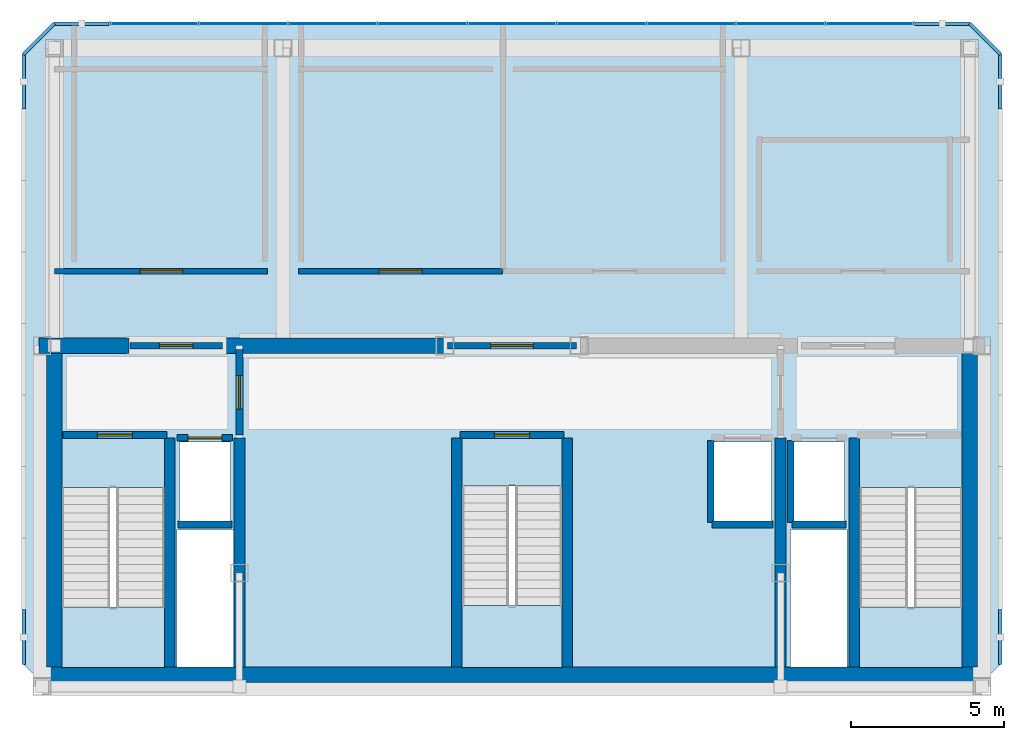
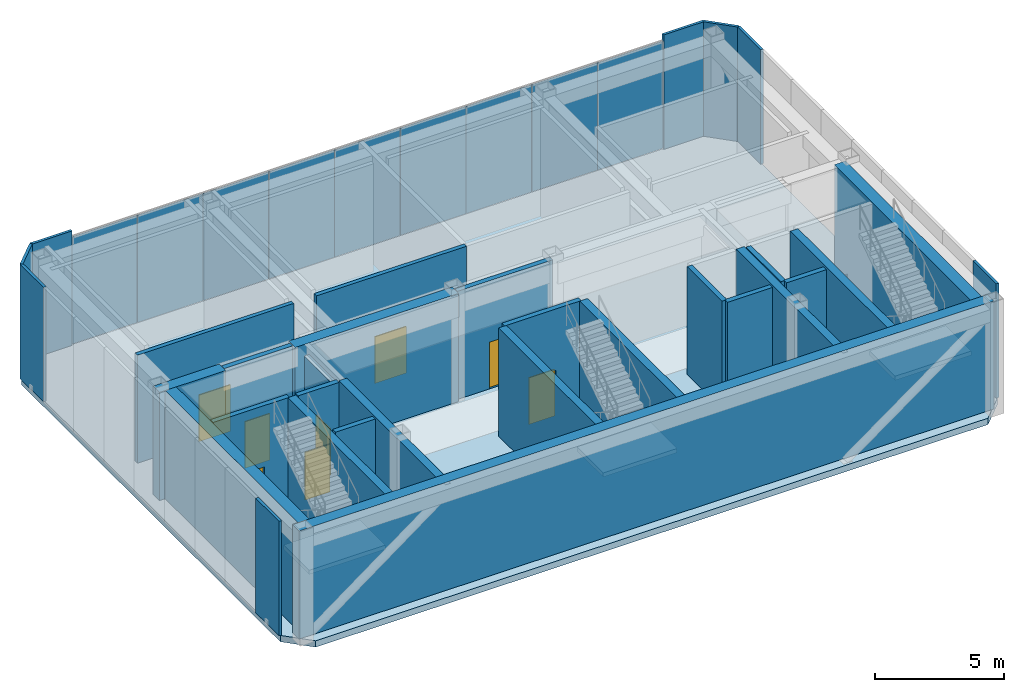
# One storey, part 7 of 9: 24 walls, 17 plates, 8 doors, 4 slabs, 8 openings, 4 elements without a shape of their own.
"""IFC4 building model written with IfcOpenShell, lengths in metres."""

from ifc_helpers import new_model, si_unit, direction, frame, frame_2d, origin, origin_2d, place, context, subcontext, project, spatial, polyline, rectangle, outline, extrude, material, layer, layer_set, type_object, element, fill, aggregate, save


model = new_model("IFC4")

# Units and contexts
model_context = context("Model", 3, precision=1e-05, world=origin(), true_north=direction((0.0, 1.0)))
body_context = subcontext(model_context, "Body", "Model", "MODEL_VIEW")
ifc_project = project(units=[si_unit("LENGTHUNIT", "METRE"), si_unit("AREAUNIT", "SQUARE_METRE"), si_unit("VOLUMEUNIT", "CUBIC_METRE"), si_unit("PLANEANGLEUNIT", "RADIAN"), si_unit("MASSUNIT", "GRAM", prefix="KILO")], contexts=[model_context])

# Site, building, storey
site_placement = place(None, origin())
site = spatial("IfcSite", under=ifc_project, at=site_placement, CompositionType="ELEMENT")
building_placement = place(site_placement, origin())
building = spatial("IfcBuilding", under=site, at=building_placement, Name="Ventersveld Concourse Tower", CompositionType="ELEMENT")
storey_placement = place(building_placement, frame((0.0, 0.0, 377.449951171875)))
storey = spatial("IfcBuildingStorey", under=building, at=storey_placement, Name="L92", CompositionType="ELEMENT", Elevation=377.449951171875)

# Curtain wall, plates
ifc_material_1 = material(Name="Anodised aluminium EN AW-6063-T6", Category="aluminium")
curtain_wall_type = type_object("IfcCurtainWallType", Name="CW-CRN-6", PredefinedType="NOTDEFINED", material=ifc_material_1)
curtain_wall_placement = place(storey_placement, origin())
curtain_wall = element("IfcCurtainWall", 1, at=curtain_wall_placement, inside=storey, type_object=curtain_wall_type, Name="L92 L92 Crown North Glazed Curtain Wall", PredefinedType="NOTDEFINED")
ifc_material_2 = material(Name="Low-E double glazing IGU", Category="glass")
ifc_layer_1 = layer(ifc_material_2, 0.02392578125)
ifc_layer_set_1 = layer_set([ifc_layer_1], Name="Low-E double glazing IGU")
plate_type_1 = type_object("IfcPlateType", Name="CWP-GLZ-24", PredefinedType="CURTAIN_PANEL", material=ifc_layer_set_1)
plate_1_placement = place(storey_placement, frame((40.4833984375, 22.0, 0.02001953125), z_axis=(0.0, 0.0, 1.0), x_axis=(-1.0, 0.0, 0.0)))
plate_1 = element("IfcPlate", 2, at=plate_1_placement, type_object=plate_type_1, Name="CW-L92-N Glazed Panel 01-1", PredefinedType="CURTAIN_PANEL", context=body_context, shape_type="SweptSolid", body=[
    extrude(rectangle(XDim=2.92333984375, YDim=0.02392578125, at=origin_2d()), origin(), (0.0, 0.0, 1.0), 5.06005859375),
])
plate_2_placement = place(storey_placement, frame((37.550048828125, 22.0, 0.02001953125), z_axis=(0.0, 0.0, 1.0), x_axis=(-1.0, 0.0, 0.0)))
plate_2 = element("IfcPlate", 3, at=plate_2_placement, type_object=plate_type_1, Name="CW-L92-N Glazed Panel 02-1", PredefinedType="CURTAIN_PANEL", context=body_context, shape_type="SweptSolid", body=[
    extrude(rectangle(XDim=2.92333984375, YDim=0.02392578125, at=origin_2d()), origin(), (0.0, 0.0, 1.0), 5.06005859375),
])
plate_3_placement = place(storey_placement, frame((34.61669921875, 22.0, 0.02001953125), z_axis=(0.0, 0.0, 1.0), x_axis=(-1.0, 0.0, 0.0)))
plate_3 = element("IfcPlate", 4, at=plate_3_placement, type_object=plate_type_1, Name="CW-L92-N Glazed Panel 03-1", PredefinedType="CURTAIN_PANEL", context=body_context, shape_type="SweptSolid", body=[
    extrude(rectangle(XDim=2.92333984375, YDim=0.02392578125, at=origin_2d()), origin(), (0.0, 0.0, 1.0), 5.06005859375),
])
plate_4_placement = place(storey_placement, frame((31.683349609375, 22.0, 0.02001953125), z_axis=(0.0, 0.0, 1.0), x_axis=(-1.0, 0.0, 0.0)))
plate_4 = element("IfcPlate", 5, at=plate_4_placement, type_object=plate_type_1, Name="CW-L92-N Glazed Panel 04-1", PredefinedType="CURTAIN_PANEL", context=body_context, shape_type="SweptSolid", body=[
    extrude(rectangle(XDim=2.92333984375, YDim=0.02392578125, at=origin_2d()), origin(), (0.0, 0.0, 1.0), 5.06005859375),
])
plate_5_placement = place(storey_placement, frame((28.75, 22.0, 0.02001953125), z_axis=(0.0, 0.0, 1.0), x_axis=(-1.0, 0.0, 0.0)))
plate_5 = element("IfcPlate", 6, at=plate_5_placement, type_object=plate_type_1, Name="CW-L92-N Glazed Panel 05-1", PredefinedType="CURTAIN_PANEL", context=body_context, shape_type="SweptSolid", body=[
    extrude(rectangle(XDim=2.92333984375, YDim=0.02392578125, at=origin_2d()), origin(), (0.0, 0.0, 1.0), 5.06005859375),
])
plate_6_placement = place(storey_placement, frame((25.816650390625, 22.0, 0.02001953125), z_axis=(0.0, 0.0, 1.0), x_axis=(-1.0, 0.0, 0.0)))
plate_6 = element("IfcPlate", 7, at=plate_6_placement, type_object=plate_type_1, Name="CW-L92-N Glazed Panel 06-1", PredefinedType="CURTAIN_PANEL", context=body_context, shape_type="SweptSolid", body=[
    extrude(rectangle(XDim=2.92333984375, YDim=0.02392578125, at=origin_2d()), origin(), (0.0, 0.0, 1.0), 5.06005859375),
])
plate_7_placement = place(storey_placement, frame((22.88330078125, 22.0, 0.02001953125), z_axis=(0.0, 0.0, 1.0), x_axis=(-1.0, 0.0, 0.0)))
plate_7 = element("IfcPlate", 8, at=plate_7_placement, type_object=plate_type_1, Name="CW-L92-N Glazed Panel 07-1", PredefinedType="CURTAIN_PANEL", context=body_context, shape_type="SweptSolid", body=[
    extrude(rectangle(XDim=2.92333984375, YDim=0.02392578125, at=origin_2d()), origin(), (0.0, 0.0, 1.0), 5.06005859375),
])
plate_8_placement = place(storey_placement, frame((19.949951171875, 22.0, 0.02001953125), z_axis=(0.0, 0.0, 1.0), x_axis=(-1.0, 0.0, 0.0)))
plate_8 = element("IfcPlate", 9, at=plate_8_placement, type_object=plate_type_1, Name="CW-L92-N Glazed Panel 08-1", PredefinedType="CURTAIN_PANEL", context=body_context, shape_type="SweptSolid", body=[
    extrude(rectangle(XDim=2.92333984375, YDim=0.02392578125, at=origin_2d()), origin(), (0.0, 0.0, 1.0), 5.06005859375),
])
plate_9_placement = place(storey_placement, frame((17.0166015625, 22.0, 0.02001953125), z_axis=(0.0, 0.0, 1.0), x_axis=(-1.0, 0.0, 0.0)))
plate_9 = element("IfcPlate", 10, at=plate_9_placement, type_object=plate_type_1, Name="CW-L92-N Glazed Panel 09-1", PredefinedType="CURTAIN_PANEL", context=body_context, shape_type="SweptSolid", body=[
    extrude(rectangle(XDim=2.92333984375, YDim=0.02392578125, at=origin_2d()), origin(), (0.0, 0.0, 1.0), 5.06005859375),
])
aggregate(curtain_wall, [plate_1, plate_2, plate_3, plate_4, plate_5, plate_6, plate_7, plate_8, plate_9])

# Plates
ifc_material_3 = material(Name="Precast concrete C45/55", Category="concrete")
ifc_layer_2 = layer(ifc_material_3, 0.1201171875)
ifc_layer_set_2 = layer_set([ifc_layer_2], Name="Precast concrete C45/55")
plate_type_2 = type_object("IfcPlateType", Name="PL-CLAD-120", PredefinedType="SHEET", material=ifc_layer_set_2)
for number, where, z_axis, x_axis, name in (
    (11, (44.75, 1.89990234375, 0.0), (0.0, 0.0, 1.0), (0.0, 1.0, 0.0), "L92 Crown Precast Pier Cladding E3-P1"),
    (12, (44.75, 20.10009765625, 0.0), (0.0, 0.0, 1.0), (0.0, 1.0, 0.0), "L92 Crown Precast Pier Cladding E3-P2"),
):
    element("IfcPlate", number, at=place(storey_placement, frame(where, z_axis=z_axis, x_axis=x_axis)), inside=storey, type_object=plate_type_2, Name=name, PredefinedType="SHEET", context=body_context, shape_type="SweptSolid", body=[
        extrude(rectangle(XDim=1.800048828125, YDim=0.1201171875, at=origin_2d()), origin(), (0.0, 0.0, 1.0), 5.39990234375),
    ])
plate_10_placement = place(storey_placement, frame((44.25, 21.5, 0.0), z_axis=(0.0, 0.0, 1.0), x_axis=(-0.707106781187, 0.707106781187, 0.0)))
element("IfcPlate", 13, at=plate_10_placement, inside=storey, type_object=plate_type_2, Name="L92 Crown Chamfer Precast Cladding Sheet E4", PredefinedType="SHEET", context=body_context, shape_type="SweptSolid", body=[
    extrude(rectangle(XDim=1.414306640625, YDim=0.1201171875, at=origin_2d()), origin(), (0.0, 0.0, 1.0), 5.39990234375),
])
for number, where, z_axis, x_axis, name in (
    (14, (42.85009765625, 22.0, 0.0), (0.0, 0.0, 1.0), (-1.0, 0.0, 0.0), "L92 Crown Precast Pier Cladding E5-P1"),
    (15, (14.64990234375, 22.0, 0.0), (0.0, 0.0, 1.0), (-1.0, 0.0, 0.0), "L92 Crown Precast Pier Cladding E5-P2"),
):
    element("IfcPlate", number, at=place(storey_placement, frame(where, z_axis=z_axis, x_axis=x_axis)), inside=storey, type_object=plate_type_2, Name=name, PredefinedType="SHEET", context=body_context, shape_type="SweptSolid", body=[
        extrude(rectangle(XDim=1.800048828125, YDim=0.1201171875, at=origin_2d()), origin(), (0.0, 0.0, 1.0), 5.39990234375),
    ])
plate_11_placement = place(storey_placement, frame((13.25, 21.5, 0.0), z_axis=(0.0, 0.0, 1.0), x_axis=(-0.707106781187, -0.707106781187, 0.0)))
element("IfcPlate", 16, at=plate_11_placement, inside=storey, type_object=plate_type_2, Name="L92 Crown Chamfer Precast Cladding Sheet E6", PredefinedType="SHEET", context=body_context, shape_type="SweptSolid", body=[
    extrude(rectangle(XDim=1.414306640625, YDim=0.1201171875, at=origin_2d()), origin(), (0.0, 0.0, 1.0), 5.39990234375),
])
for number, where, z_axis, x_axis, name in (
    (17, (12.75, 20.10009765625, 0.0), (0.0, 0.0, 1.0), (0.0, -1.0, 0.0), "L92 Crown Precast Pier Cladding E7-P1"),
    (18, (12.75, 1.89990234375, 0.0), (0.0, 0.0, 1.0), (0.0, -1.0, 0.0), "L92 Crown Precast Pier Cladding E7-P2"),
):
    element("IfcPlate", number, at=place(storey_placement, frame(where, z_axis=z_axis, x_axis=x_axis)), inside=storey, type_object=plate_type_2, Name=name, PredefinedType="SHEET", context=body_context, shape_type="SweptSolid", body=[
        extrude(rectangle(XDim=1.800048828125, YDim=0.1201171875, at=origin_2d()), origin(), (0.0, 0.0, 1.0), 5.39990234375),
    ])

# Slab
ifc_material_4 = material(Name="Concrete C50/60", Category="concrete")
ifc_layer_3 = layer(ifc_material_4, 0.300048828125)
ifc_layer_set_3 = layer_set([ifc_layer_3], Name="Concrete C50/60")
slab_type_1 = type_object("IfcSlabType", Name="SL-FLR-300", PredefinedType="FLOOR", material=ifc_layer_set_3)
slab_1_placement = place(storey_placement, frame((0.0, 0.0, -0.300048828125)))
element("IfcSlab", 19, at=slab_1_placement, inside=storey, type_object=slab_type_1, Name="L92 Composite Floor Slab", PredefinedType="FLOOR", context=body_context, shape_type="SweptSolid", body=[
    extrude(outline(polyline([(13.75, 0.0), (43.75, 0.0), (44.75, 1.0), (44.75, 21.0), (43.75, 22.0), (13.75, 22.0), (12.75, 21.0), (12.75, 1.0), (13.75, 0.0)]), holes=[polyline([(13.97998046875, 6.794921875), (13.97998046875, 0.89990234375), (17.3798828125, 0.89990234375), (17.3798828125, 6.794921875), (13.97998046875, 6.794921875)]), polyline([(40.1201171875, 6.794921875), (40.1201171875, 0.89990234375), (43.52001953125, 0.89990234375), (43.52001953125, 6.794921875), (40.1201171875, 6.794921875)]), polyline([(27.10009765625, 6.844970703125), (27.10009765625, 0.89990234375), (30.39990234375, 0.89990234375), (30.39990234375, 6.844970703125), (27.10009765625, 6.844970703125)]), polyline([(17.85009765625, 5.699951171875), (19.530029296875, 5.699951171875), (19.530029296875, 8.300048828125), (17.85009765625, 8.300048828125), (17.85009765625, 5.699951171875)]), polyline([(37.969970703125, 5.699951171875), (39.64990234375, 5.699951171875), (39.64990234375, 8.300048828125), (37.969970703125, 8.300048828125), (37.969970703125, 5.699951171875)]), polyline([(35.35009765625, 5.699951171875), (37.25, 5.699951171875), (37.25, 8.300048828125), (35.35009765625, 8.300048828125), (35.35009765625, 5.699951171875)]), polyline([(17.780029296875, 0.919921875), (19.6201171875, 0.919921875), (19.6201171875, 5.419921875), (17.780029296875, 5.419921875), (17.780029296875, 0.919921875)]), polyline([(37.8798828125, 0.919921875), (39.719970703125, 0.919921875), (39.719970703125, 5.419921875), (37.8798828125, 5.419921875), (37.8798828125, 0.919921875)])]), origin(), (0.0, 0.0, 1.0), 0.300048828125),
])

# Stair, slab
stair_type_1 = type_object("IfcStairType", Name="ST-DOG-160", PredefinedType="HALF_TURN_STAIR", material=ifc_material_4)
stair_1_placement = place(storey_placement, origin())
stair_1 = element("IfcStair", 20, at=stair_1_placement, inside=storey, type_object=stair_type_1, Name="L92 Protected Tower Escape Stair ST-01", PredefinedType="HALF_TURN_STAIR")
ifc_layer_4 = layer(ifc_material_4, 0.199951171875)
ifc_layer_set_4 = layer_set([ifc_layer_4], Name="Concrete C50/60")
slab_type_2 = type_object("IfcSlabType", Name="SL-LND-200", PredefinedType="LANDING", material=ifc_layer_set_4)
slab_2_placement = place(storey_placement, frame((0.0, 0.0, 2.5)))
slab_2 = element("IfcSlab", 21, at=slab_2_placement, type_object=slab_type_2, Name="ST-01 landing 1", PredefinedType="LANDING", context=body_context, shape_type="SweptSolid", body=[
    extrude(outline(polyline([(13.97998046875, 2.8798828125), (13.97998046875, 0.89990234375), (17.3798828125, 0.89990234375), (17.3798828125, 2.8798828125), (13.97998046875, 2.8798828125)])), origin(), (0.0, 0.0, 1.0), 0.199951171875),
])
aggregate(stair_1, [slab_2])

stair_2_placement = place(storey_placement, origin())
stair_2 = element("IfcStair", 22, at=stair_2_placement, inside=storey, type_object=stair_type_1, Name="L92 Protected Tower Escape Stair ST-02", PredefinedType="HALF_TURN_STAIR")
slab_3_placement = place(storey_placement, frame((0.0, 0.0, 2.5)))
slab_3 = element("IfcSlab", 23, at=slab_3_placement, type_object=slab_type_2, Name="ST-02 landing 1", PredefinedType="LANDING", context=body_context, shape_type="SweptSolid", body=[
    extrude(outline(polyline([(40.1201171875, 2.8798828125), (40.1201171875, 0.89990234375), (43.52001953125, 0.89990234375), (43.52001953125, 2.8798828125), (40.1201171875, 2.8798828125)])), origin(), (0.0, 0.0, 1.0), 0.199951171875),
])
aggregate(stair_2, [slab_3])

stair_type_2 = type_object("IfcStairType", Name="ST-DOG-155", PredefinedType="HALF_TURN_STAIR", material=ifc_material_4)
stair_3_placement = place(storey_placement, origin())
stair_3 = element("IfcStair", 24, at=stair_3_placement, inside=storey, type_object=stair_type_2, Name="L92 Protected Central Core Escape Stair ST-03", PredefinedType="HALF_TURN_STAIR")
slab_4_placement = place(storey_placement, frame((0.0, 0.0, 2.5)))
slab_4 = element("IfcSlab", 25, at=slab_4_placement, type_object=slab_type_2, Name="ST-03 landing 1", PredefinedType="LANDING", context=body_context, shape_type="SweptSolid", body=[
    extrude(outline(polyline([(27.10009765625, 2.929931640625), (27.10009765625, 0.89990234375), (30.39990234375, 0.89990234375), (30.39990234375, 2.929931640625), (27.10009765625, 2.929931640625)])), origin(), (0.0, 0.0, 1.0), 0.199951171875),
])
aggregate(stair_3, [slab_4])

# Walls
ifc_layer_5 = layer(ifc_material_4, 0.35009765625)
ifc_layer_set_5 = layer_set([ifc_layer_5], Name="Concrete C50/60")
wall_type_1 = type_object("IfcWallType", Name="WL-CORE-350U", PredefinedType="SHEAR", material=ifc_layer_set_5)
for number, where, z_axis, x_axis, name in (
    (26, (17.5400390625, 0.919921875, 0.0), (0.0, 0.0, 1.0), (0.0, 1.0, 0.0), "L92 Core Internal Shear Web W-ST1-E"),
    (27, (19.820068359375, 0.919921875, 0.0), (0.0, 0.0, 1.0), (0.0, 1.0, 0.0), "L92 Core Internal Shear Web W-FF1-E"),
    (28, (26.93994140625, 0.919921875, 0.0), (0.0, 0.0, 1.0), (0.0, 1.0, 0.0), "L92 Core Internal Shear Web W-ST3-W"),
    (29, (30.56005859375, 0.919921875, 0.0), (0.0, 0.0, 1.0), (0.0, 1.0, 0.0), "L92 Core Internal Shear Web W-ST3-E"),
    (30, (37.550048828125, 0.919921875, 0.0), (0.0, 0.0, 1.0), (0.0, 1.0, 0.0), "L92 Core Internal Shear Web W-SVL-W"),
    (31, (39.9599609375, 0.919921875, 0.0), (0.0, 0.0, 1.0), (0.0, 1.0, 0.0), "L92 Core Internal Shear Web W-ST2-W"),
):
    element("IfcWall", number, at=place(storey_placement, frame(where, z_axis=z_axis, x_axis=x_axis)), inside=storey, type_object=wall_type_1, Name=name, PredefinedType="SHEAR", context=body_context, shape_type="SweptSolid", body=[
        extrude(rectangle(XDim=7.5, YDim=0.35009765625, at=frame_2d((3.75, 0.0))), origin(), (0.0, 0.0, 1.0), 5.10009765625),
    ])
ifc_layer_6 = layer(ifc_material_4, 0.5)
ifc_layer_set_6 = layer_set([ifc_layer_6], Name="Concrete C50/60")
wall_type_2 = type_object("IfcWallType", Name="WL-CORE-500", PredefinedType="SHEAR", material=ifc_layer_set_6)
wall_1_placement = place(storey_placement, frame((13.25, 0.669921875, 0.0), z_axis=(0.0, 0.0, 1.0), x_axis=(1.0, 0.0, 0.0)))
element("IfcWall", 32, at=wall_1_placement, inside=storey, type_object=wall_type_2, Name="L92 Rear Core South Shear Wall", PredefinedType="SHEAR", context=body_context, shape_type="SweptSolid", body=[
    extrude(rectangle(XDim=31.0, YDim=0.5, at=frame_2d((15.5, 0.0))), origin(), (0.0, 0.0, 1.0), 5.10009765625),
])
for number, where, z_axis, x_axis, name in (
    (33, (13.75, 0.919921875, 0.0), (0.0, 0.0, 1.0), (0.0, 1.0, 0.0), "L92 Rear Core West Shear Wall"),
    (34, (43.75, 0.919921875, 0.0), (0.0, 0.0, 1.0), (0.0, 1.0, 0.0), "L92 Rear Core East Shear Wall"),
):
    element("IfcWall", number, at=place(storey_placement, frame(where, z_axis=z_axis, x_axis=x_axis)), inside=storey, type_object=wall_type_2, Name=name, PredefinedType="SHEAR", context=body_context, shape_type="SweptSolid", body=[
        extrude(rectangle(XDim=10.530029296875, YDim=0.5, at=frame_2d((5.26513671875, 0.0))), origin(), (0.0, 0.0, 1.0), 5.10009765625),
    ])
wall_2_placement = place(storey_placement, frame((13.25, 11.449951171875, 0.0), z_axis=(0.0, 0.0, 1.0), x_axis=(1.0, 0.0, 0.0)))
element("IfcWall", 35, at=wall_2_placement, inside=storey, type_object=wall_type_2, Name="L92 Rear Core North Shear Wall NW", PredefinedType="SHEAR", context=body_context, shape_type="SweptSolid", body=[
    extrude(rectangle(XDim=2.949951171875, YDim=0.5, at=frame_2d((1.47509765625, 0.0))), origin(), (0.0, 0.0, 1.0), 5.10009765625),
])
wall_3_placement = place(storey_placement, frame((19.300048828125, 11.449951171875, 0.0), z_axis=(0.0, 0.0, 1.0), x_axis=(1.0, 0.0, 0.0)))
element("IfcWall", 36, at=wall_3_placement, inside=storey, type_object=wall_type_2, Name="L92 Rear Core North Shear Wall NML", PredefinedType="SHEAR", context=body_context, shape_type="SweptSolid", body=[
    extrude(rectangle(XDim=7.300048828125, YDim=0.5, at=frame_2d((3.64990234375, 0.0))), origin(), (0.0, 0.0, 1.0), 5.10009765625),
])

# Wall, opening, door
ifc_material_5 = material(Name="Fire-rated autoclaved aerated masonry blockwork", Category="masonry")
ifc_layer_7 = layer(ifc_material_5, 0.179931640625)
ifc_layer_set_7 = layer_set([ifc_layer_7], Name="Fire-rated autoclaved aerated masonry blockwork")
wall_type_3 = type_object("IfcWallType", Name="WL-CORR-180", PredefinedType="PARTITIONING", material=ifc_layer_set_7)
wall_4_placement = place(storey_placement, frame((13.76806640625, 13.889892578125, 0.0), z_axis=(0.0, 0.0, 1.0), x_axis=(1.0, 0.0, 0.0)))
wall_4 = element("IfcWall", 37, at=wall_4_placement, inside=storey, type_object=wall_type_3, Name="L92 Interior Partition SP-L92-PCOR-SP-L92-TX", PredefinedType="PARTITIONING", context=body_context, shape_type="SweptSolid", body=[
    extrude(rectangle(XDim=6.97705078125, YDim=0.179931640625, at=frame_2d((3.488525390625, 0.0))), origin(), (0.0, 0.0, 1.0), 5.10009765625),
])
opening_1_placement = place(wall_4_placement, frame((2.78857421875, 0.0, 0.0)))
opening_1 = element("IfcOpeningElement", 38, at=opening_1_placement, cuts=wall_4, Name="Opening FD4", PredefinedType="OPENING", context=body_context, shape_type="SweptSolid", body=[
    extrude(rectangle(XDim=1.39990234375, YDim=2.199951171875, at=frame_2d((0.699951171875, 1.10009765625))), frame((0.0, 0.10009765625, 0.0), z_axis=(0.0, -1.0, 0.0), x_axis=(1.0, 0.0, 0.0)), (0.0, 0.0, 1.0), 0.199951171875),
])
ifc_material_6 = material(Name="Galvanised painted steel", Category="steel")
door_type_1 = type_object("IfcDoorType", Name="DR-PLANT-140", OperationType="DOUBLE_DOOR_SINGLE_SWING", PredefinedType="DOOR", material=ifc_material_6)
door_1_placement = place(opening_1_placement, origin())
door_1 = element("IfcDoor", 39, at=door_1_placement, inside=storey, type_object=door_type_1, Name="L92 Interior Door SP-L92-PCOR to SP-L92-TX (FD-L92-3990)", OperationType="DOUBLE_DOOR_SINGLE_SWING", OverallHeight=2.199951171875, OverallWidth=1.39990234375, PredefinedType="DOOR", context=body_context, shape_type="SweptSolid", body=[
    extrude(rectangle(XDim=1.39990234375, YDim=2.199951171875, at=frame_2d((0.699951171875, 1.10009765625))), frame((0.0, 0.02490234375, 0.0), z_axis=(0.0, -1.0, 0.0), x_axis=(1.0, 0.0, 0.0)), (0.0, 0.0, 1.0), 0.050048828125),
])
fill(opening_1, door_1)

wall_5_placement = place(storey_placement, frame((21.7548828125, 13.889892578125, 0.0), z_axis=(0.0, 0.0, 1.0), x_axis=(1.0, 0.0, 0.0)))
wall_5 = element("IfcWall", 40, at=wall_5_placement, inside=storey, type_object=wall_type_3, Name="L92 Interior Partition SP-L92-PCOR-SP-L92-UPS", PredefinedType="PARTITIONING", context=body_context, shape_type="SweptSolid", body=[
    extrude(rectangle(XDim=6.690185546875, YDim=0.179931640625, at=frame_2d((3.34521484375, 0.0))), origin(), (0.0, 0.0, 1.0), 5.10009765625),
])
opening_2_placement = place(wall_5_placement, frame((2.64501953125, 0.0, 0.0)))
opening_2 = element("IfcOpeningElement", 41, at=opening_2_placement, cuts=wall_5, Name="Opening FD4", PredefinedType="OPENING", context=body_context, shape_type="SweptSolid", body=[
    extrude(rectangle(XDim=1.39990234375, YDim=2.199951171875, at=frame_2d((0.699951171875, 1.10009765625))), frame((0.0, 0.10009765625, 0.0), z_axis=(0.0, -1.0, 0.0), x_axis=(1.0, 0.0, 0.0)), (0.0, 0.0, 1.0), 0.199951171875),
])
door_2_placement = place(opening_2_placement, origin())
door_2 = element("IfcDoor", 42, at=door_2_placement, inside=storey, type_object=door_type_1, Name="L92 Interior Door SP-L92-PCOR to SP-L92-UPS (FD-L92-3991)", OperationType="DOUBLE_DOOR_SINGLE_SWING", OverallHeight=2.199951171875, OverallWidth=1.39990234375, PredefinedType="DOOR", context=body_context, shape_type="SweptSolid", body=[
    extrude(rectangle(XDim=1.39990234375, YDim=2.199951171875, at=frame_2d((0.699951171875, 1.10009765625))), frame((0.0, 0.02490234375, 0.0), z_axis=(0.0, -1.0, 0.0), x_axis=(1.0, 0.0, 0.0)), (0.0, 0.0, 1.0), 0.050048828125),
])
fill(opening_2, door_2)

# Wall
ifc_layer_8 = layer(ifc_material_5, 0.219970703125)
ifc_layer_set_8 = layer_set([ifc_layer_8], Name="Fire-rated autoclaved aerated masonry blockwork")
wall_type_4 = type_object("IfcWallType", Name="WL-HOIST-220", PredefinedType="SOLIDWALL", material=ifc_layer_set_8)
wall_6_placement = place(storey_placement, frame((17.800048828125, 5.590087890625, 0.0), z_axis=(0.0, 0.0, 1.0), x_axis=(1.0, 0.0, 0.0)))
element("IfcWall", 43, at=wall_6_placement, inside=storey, type_object=wall_type_4, Name="L92 Lift Hoistway Back Wall FFL-01", PredefinedType="SOLIDWALL", context=body_context, shape_type="SweptSolid", body=[
    extrude(rectangle(XDim=1.780029296875, YDim=0.219970703125, at=frame_2d((0.89013671875, 0.0))), origin(), (0.0, 0.0, 1.0), 5.10009765625),
])

# Wall, opening, door
wall_7_placement = place(storey_placement, frame((17.780029296875, 8.429931640625, 0.0), z_axis=(0.0, 0.0, 1.0), x_axis=(1.0, 0.0, 0.0)))
wall_7 = element("IfcWall", 44, at=wall_7_placement, inside=storey, type_object=wall_type_4, Name="L92 Lift Hoistway Front Wall FFL-01", PredefinedType="SOLIDWALL", context=body_context, shape_type="SweptSolid", body=[
    extrude(rectangle(XDim=1.820068359375, YDim=0.219970703125, at=frame_2d((0.91015625, 0.0))), origin(), (0.0, 0.0, 1.0), 5.10009765625),
])
opening_3_placement = place(wall_7_placement, frame((0.35009765625, 0.0, 0.0)))
opening_3 = element("IfcOpeningElement", 45, at=opening_3_placement, cuts=wall_7, Name="Opening LD1", PredefinedType="OPENING", context=body_context, shape_type="SweptSolid", body=[
    extrude(rectangle(XDim=1.1201171875, YDim=2.25, at=frame_2d((0.56005859375, 1.125))), frame((0.0, 0.1201171875, 0.0), z_axis=(0.0, -1.0, 0.0), x_axis=(1.0, 0.0, 0.0)), (0.0, 0.0, 1.0), 0.239990234375),
])
ifc_material_7 = material(Name="Brushed stainless steel 316", Category="steel")
door_type_2 = type_object("IfcDoorType", Name="LD-FF-112", OperationType="SLIDING_TO_LEFT", PredefinedType="DOOR", material=ifc_material_7)
door_3_placement = place(opening_3_placement, origin())
door_3 = element("IfcDoor", 46, at=door_3_placement, inside=storey, type_object=door_type_2, Name="L92 Lift landing door FFL-01 (LD-L92-FFL-01)", OperationType="SLIDING_TO_RIGHT", OverallHeight=2.25, OverallWidth=1.1201171875, PredefinedType="DOOR", context=body_context, shape_type="SweptSolid", body=[
    extrude(rectangle(XDim=1.1201171875, YDim=2.25, at=frame_2d((0.56005859375, 1.125))), frame((0.0, 0.02490234375, 0.0), z_axis=(0.0, -1.0, 0.0), x_axis=(1.0, 0.0, 0.0)), (0.0, 0.0, 1.0), 0.050048828125),
])
fill(opening_3, door_3)

# Walls
wall_8_placement = place(storey_placement, frame((37.919921875, 5.590087890625, 0.0), z_axis=(0.0, 0.0, 1.0), x_axis=(1.0, 0.0, 0.0)))
element("IfcWall", 47, at=wall_8_placement, inside=storey, type_object=wall_type_4, Name="L92 Lift Hoistway Back Wall FFL-02", PredefinedType="SOLIDWALL", context=body_context, shape_type="SweptSolid", body=[
    extrude(rectangle(XDim=1.780029296875, YDim=0.219970703125, at=frame_2d((0.89013671875, 0.0))), origin(), (0.0, 0.0, 1.0), 5.10009765625),
])
wall_9_placement = place(storey_placement, frame((37.8798828125, 5.64990234375, 0.0), z_axis=(0.0, 0.0, 1.0), x_axis=(0.0, 1.0, 0.0)))
element("IfcWall", 48, at=wall_9_placement, inside=storey, type_object=wall_type_4, Name="L92 Lift Hoistway Side Wall FFL-02W", PredefinedType="SOLIDWALL", context=body_context, shape_type="SweptSolid", body=[
    extrude(rectangle(XDim=2.7001953125, YDim=0.219970703125, at=frame_2d((1.35009765625, 0.0))), origin(), (0.0, 0.0, 1.0), 5.10009765625),
])
wall_10_placement = place(storey_placement, frame((35.300048828125, 5.590087890625, 0.0), z_axis=(0.0, 0.0, 1.0), x_axis=(1.0, 0.0, 0.0)))
element("IfcWall", 49, at=wall_10_placement, inside=storey, type_object=wall_type_4, Name="L92 Lift Hoistway Back Wall SVL-01", PredefinedType="SOLIDWALL", context=body_context, shape_type="SweptSolid", body=[
    extrude(rectangle(XDim=2.0, YDim=0.219970703125, at=frame_2d((1.0, 0.0))), origin(), (0.0, 0.0, 1.0), 5.10009765625),
])
wall_11_placement = place(storey_placement, frame((35.260009765625, 5.64990234375, 0.0), z_axis=(0.0, 0.0, 1.0), x_axis=(0.0, 1.0, 0.0)))
element("IfcWall", 50, at=wall_11_placement, inside=storey, type_object=wall_type_4, Name="L92 Lift Hoistway Side Wall SVL-01W", PredefinedType="SOLIDWALL", context=body_context, shape_type="SweptSolid", body=[
    extrude(rectangle(XDim=2.7001953125, YDim=0.219970703125, at=frame_2d((1.35009765625, 0.0))), origin(), (0.0, 0.0, 1.0), 5.10009765625),
])

# Wall, opening, door
wall_12_placement = place(storey_placement, frame((14.0400390625, 8.52001953125, 0.0), z_axis=(0.0, 0.0, 1.0), x_axis=(1.0, 0.0, 0.0)))
wall_12 = element("IfcWall", 51, at=wall_12_placement, inside=storey, type_object=wall_type_4, Name="L92 Escape Stair ST01 Fire Wall", PredefinedType="SOLIDWALL", context=body_context, shape_type="SweptSolid", body=[
    extrude(rectangle(XDim=3.39990234375, YDim=0.219970703125, at=frame_2d((1.699951171875, 0.0))), origin(), (0.0, 0.0, 1.0), 5.10009765625),
])
opening_4_placement = place(wall_12_placement, frame((1.125, 0.0, 0.0)))
opening_4 = element("IfcOpeningElement", 52, at=opening_4_placement, cuts=wall_12, Name="Opening FD1", PredefinedType="OPENING", context=body_context, shape_type="SweptSolid", body=[
    extrude(rectangle(XDim=1.14990234375, YDim=2.199951171875, at=frame_2d((0.574951171875, 1.10009765625))), frame((0.0, 0.1201171875, 0.0), z_axis=(0.0, -1.0, 0.0), x_axis=(1.0, 0.0, 0.0)), (0.0, 0.0, 1.0), 0.239990234375),
])
door_type_3 = type_object("IfcDoorType", Name="DR-STAIR-115", OperationType="NOTDEFINED", PredefinedType="DOOR", material=ifc_material_6)
door_4_placement = place(opening_4_placement, origin())
door_4 = element("IfcDoor", 53, at=door_4_placement, inside=storey, type_object=door_type_3, Name="L92 Escape Stair Door ST01 (SD-L92-3982)", OperationType="SINGLE_SWING_LEFT", OverallHeight=2.199951171875, OverallWidth=1.14990234375, PredefinedType="DOOR", context=body_context, shape_type="SweptSolid", body=[
    extrude(rectangle(XDim=1.14990234375, YDim=2.199951171875, at=frame_2d((0.574951171875, 1.10009765625))), frame((0.0, 0.02490234375, 0.0), z_axis=(0.0, -1.0, 0.0), x_axis=(1.0, 0.0, 0.0)), (0.0, 0.0, 1.0), 0.050048828125),
])
fill(opening_4, door_4)

wall_13_placement = place(storey_placement, frame((27.0400390625, 8.52001953125, 0.0), z_axis=(0.0, 0.0, 1.0), x_axis=(1.0, 0.0, 0.0)))
wall_13 = element("IfcWall", 54, at=wall_13_placement, inside=storey, type_object=wall_type_4, Name="L92 Escape Stair ST03 Fire Wall", PredefinedType="SOLIDWALL", context=body_context, shape_type="SweptSolid", body=[
    extrude(rectangle(XDim=3.419921875, YDim=0.219970703125, at=frame_2d((1.7099609375, 0.0))), origin(), (0.0, 0.0, 1.0), 5.10009765625),
])
opening_5_placement = place(wall_13_placement, frame((1.135009765625, 0.0, 0.0)))
opening_5 = element("IfcOpeningElement", 55, at=opening_5_placement, cuts=wall_13, Name="Opening FD1", PredefinedType="OPENING", context=body_context, shape_type="SweptSolid", body=[
    extrude(rectangle(XDim=1.14990234375, YDim=2.199951171875, at=frame_2d((0.574951171875, 1.10009765625))), frame((0.0, 0.1201171875, 0.0), z_axis=(0.0, -1.0, 0.0), x_axis=(1.0, 0.0, 0.0)), (0.0, 0.0, 1.0), 0.239990234375),
])
door_5_placement = place(opening_5_placement, origin())
door_5 = element("IfcDoor", 56, at=door_5_placement, inside=storey, type_object=door_type_3, Name="L92 Escape Stair Door ST03 (SD-L92-3984)", OperationType="SINGLE_SWING_LEFT", OverallHeight=2.199951171875, OverallWidth=1.14990234375, PredefinedType="DOOR", context=body_context, shape_type="SweptSolid", body=[
    extrude(rectangle(XDim=1.14990234375, YDim=2.199951171875, at=frame_2d((0.574951171875, 1.10009765625))), frame((0.0, 0.02490234375, 0.0), z_axis=(0.0, -1.0, 0.0), x_axis=(1.0, 0.0, 0.0)), (0.0, 0.0, 1.0), 0.050048828125),
])
fill(opening_5, door_5)

wall_14_placement = place(storey_placement, frame((19.820068359375, 8.52001953125, 0.0), z_axis=(0.0, 0.0, 1.0), x_axis=(0.0, 1.0, 0.0)))
wall_14 = element("IfcWall", 57, at=wall_14_placement, inside=storey, type_object=wall_type_4, Name="L92 Firefighting Lobby Smoke-Stop Wall FFLW-SEP", PredefinedType="SOLIDWALL", context=body_context, shape_type="SweptSolid", body=[
    extrude(rectangle(XDim=2.800048828125, YDim=0.219970703125, at=frame_2d((1.39990234375, 0.0))), origin(), (0.0, 0.0, 1.0), 4.5556640625),
])
opening_6_placement = place(wall_14_placement, frame((0.85009765625, 0.0, 0.0)))
opening_6 = element("IfcOpeningElement", 58, at=opening_6_placement, cuts=wall_14, Name="Opening FD2", PredefinedType="OPENING", context=body_context, shape_type="SweptSolid", body=[
    extrude(rectangle(XDim=1.10009765625, YDim=2.199951171875, at=frame_2d((0.550048828125, 1.10009765625))), frame((0.0, 0.1201171875, 0.0), z_axis=(0.0, -1.0, 0.0), x_axis=(1.0, 0.0, 0.0)), (0.0, 0.0, 1.0), 0.239990234375),
])
door_type_4 = type_object("IfcDoorType", Name="DR-FFL-110", OperationType="NOTDEFINED", PredefinedType="DOOR", material=ifc_material_6)
door_6_placement = place(opening_6_placement, origin())
door_6 = element("IfcDoor", 59, at=door_6_placement, inside=storey, type_object=door_type_4, Name="L92 Firefighting Lobby Door FFLW-SEP (FD-L92-3985)", OperationType="SINGLE_SWING_LEFT", OverallHeight=2.199951171875, OverallWidth=1.10009765625, PredefinedType="DOOR", context=body_context, shape_type="SweptSolid", body=[
    extrude(rectangle(XDim=1.10009765625, YDim=2.199951171875, at=frame_2d((0.550048828125, 1.10009765625))), frame((0.0, 0.02490234375, 0.0), z_axis=(0.0, -1.0, 0.0), x_axis=(1.0, 0.0, 0.0)), (0.0, 0.0, 1.0), 0.050048828125),
])
fill(opening_6, door_6)

wall_15_placement = place(storey_placement, frame((16.22998046875, 11.449951171875, 0.0), z_axis=(0.0, 0.0, 1.0), x_axis=(1.0, 0.0, 0.0)))
wall_15 = element("IfcWall", 60, at=wall_15_placement, inside=storey, type_object=wall_type_4, Name="L92 Core North Fire Portal FFLW-OUT", PredefinedType="SOLIDWALL", context=body_context, shape_type="SweptSolid", body=[
    extrude(rectangle(XDim=3.0400390625, YDim=0.219970703125, at=frame_2d((1.52001953125, 0.0))), origin(), (0.0, 0.0, 1.0), 5.10009765625),
])
opening_7_placement = place(wall_15_placement, frame((0.969970703125, 0.0, 0.0)))
opening_7 = element("IfcOpeningElement", 61, at=opening_7_placement, cuts=wall_15, Name="Opening FD2", PredefinedType="OPENING", context=body_context, shape_type="SweptSolid", body=[
    extrude(rectangle(XDim=1.10009765625, YDim=2.199951171875, at=frame_2d((0.550048828125, 1.10009765625))), frame((0.0, 0.1201171875, 0.0), z_axis=(0.0, -1.0, 0.0), x_axis=(1.0, 0.0, 0.0)), (0.0, 0.0, 1.0), 0.239990234375),
])
door_7_placement = place(opening_7_placement, origin())
door_7 = element("IfcDoor", 62, at=door_7_placement, inside=storey, type_object=door_type_4, Name="L92 Core Lobby Fire Door FFLW-OUT (FD-L92-3987)", OperationType="SINGLE_SWING_RIGHT", OverallHeight=2.199951171875, OverallWidth=1.10009765625, PredefinedType="DOOR", context=body_context, shape_type="SweptSolid", body=[
    extrude(rectangle(XDim=1.10009765625, YDim=2.199951171875, at=frame_2d((0.550048828125, 1.10009765625))), frame((0.0, 0.02490234375, 0.0), z_axis=(0.0, -1.0, 0.0), x_axis=(1.0, 0.0, 0.0)), (0.0, 0.0, 1.0), 0.050048828125),
])
fill(opening_7, door_7)

wall_16_placement = place(storey_placement, frame((26.6298828125, 11.449951171875, 0.0), z_axis=(0.0, 0.0, 1.0), x_axis=(1.0, 0.0, 0.0)))
wall_16 = element("IfcWall", 63, at=wall_16_placement, inside=storey, type_object=wall_type_4, Name="L92 Core North Fire Portal PLOB-OUT", PredefinedType="SOLIDWALL", context=body_context, shape_type="SweptSolid", body=[
    extrude(rectangle(XDim=4.240234375, YDim=0.219970703125, at=frame_2d((2.1201171875, 0.0))), origin(), (0.0, 0.0, 1.0), 5.10009765625),
])
opening_8_placement = place(wall_16_placement, frame((1.419921875, 0.0, 0.0)))
opening_8 = element("IfcOpeningElement", 64, at=opening_8_placement, cuts=wall_16, Name="Opening FD4", PredefinedType="OPENING", context=body_context, shape_type="SweptSolid", body=[
    extrude(rectangle(XDim=1.39990234375, YDim=2.199951171875, at=frame_2d((0.699951171875, 1.10009765625))), frame((0.0, 0.1201171875, 0.0), z_axis=(0.0, -1.0, 0.0), x_axis=(1.0, 0.0, 0.0)), (0.0, 0.0, 1.0), 0.239990234375),
])
door_8_placement = place(opening_8_placement, origin())
door_8 = element("IfcDoor", 65, at=door_8_placement, inside=storey, type_object=door_type_1, Name="L92 Core Lobby Fire Door PLOB-OUT (FD-L92-3988)", OperationType="DOUBLE_DOOR_SINGLE_SWING", OverallHeight=2.199951171875, OverallWidth=1.39990234375, PredefinedType="DOOR", context=body_context, shape_type="SweptSolid", body=[
    extrude(rectangle(XDim=1.39990234375, YDim=2.199951171875, at=frame_2d((0.699951171875, 1.10009765625))), frame((0.0, 0.02490234375, 0.0), z_axis=(0.0, -1.0, 0.0), x_axis=(1.0, 0.0, 0.0)), (0.0, 0.0, 1.0), 0.050048828125),
])
fill(opening_8, door_8)

save(model, "model.ifc")
